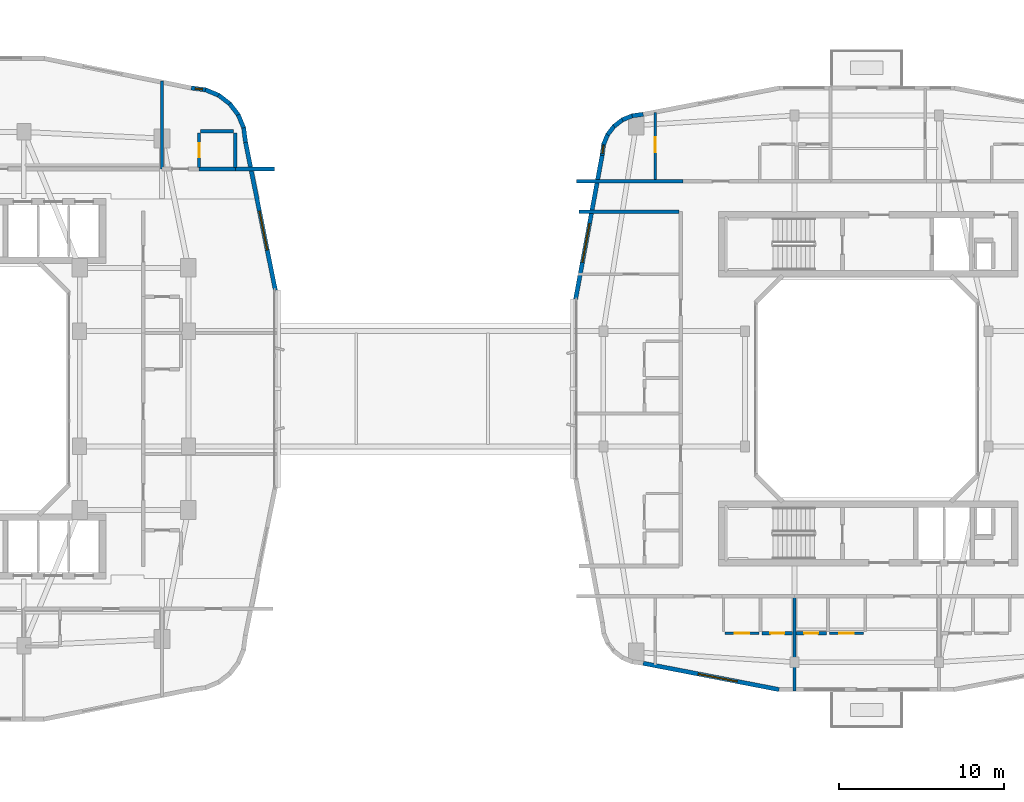
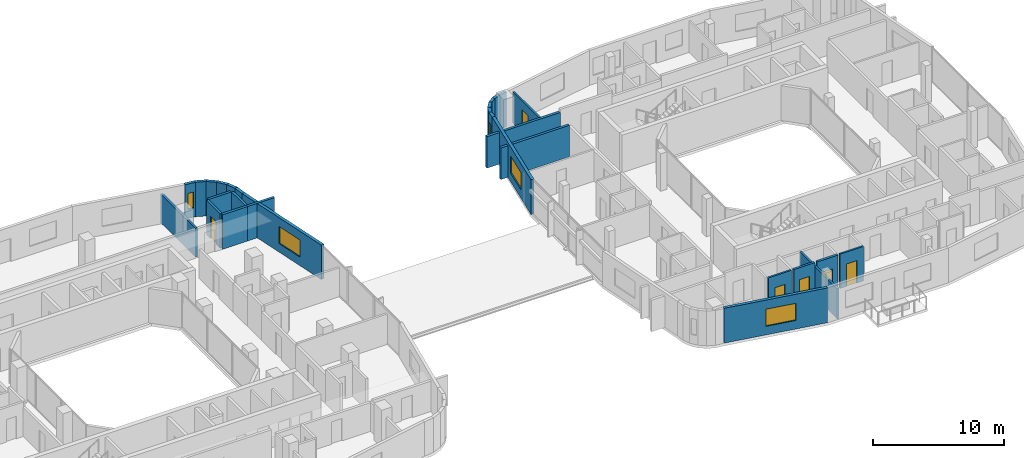
# One storey, part 12 of 22: 29 walls, 6 doors, 5 windows, 11 openings.
"""IFC4 building model written with IfcOpenShell, lengths in metres."""

from ifc_helpers import new_model, si_unit, derived_unit, direction, frame, frame_2d, origin, place, context, subcontext, project, spatial, rectangle, extrude, material, layer, layer_set, type_object, element, fill, save


model = new_model("IFC4")

# Units and contexts
model_context = context("Model", 3, precision=1e-05, world=origin(), true_north=direction((0.0, 1.0)))
body_context = subcontext(model_context, "Body", "Model", "MODEL_VIEW")
ifc_project = project(units=[si_unit("LENGTHUNIT", "METRE"), si_unit("AREAUNIT", "SQUARE_METRE"), si_unit("VOLUMEUNIT", "CUBIC_METRE"), si_unit("PLANEANGLEUNIT", "RADIAN"), si_unit("MASSUNIT", "GRAM", prefix="KILO"), derived_unit("THERMALTRANSMITTANCEUNIT", [(si_unit("POWERUNIT", "WATT"), 1), (si_unit("LENGTHUNIT", "METRE"), -2), (si_unit("THERMODYNAMICTEMPERATUREUNIT", "KELVIN"), -1)])], contexts=[model_context])

# Site, building, storey
site_placement = place(None, origin())
site = spatial("IfcSite", under=ifc_project, at=site_placement, CompositionType="ELEMENT")
building_placement = place(site_placement, origin())
building = spatial("IfcBuilding", under=site, at=building_placement, Name="Kivonza Crest Hotel", CompositionType="ELEMENT")
storey_placement = place(building_placement, frame((0.0, 0.0, 124.0)))
storey = spatial("IfcBuildingStorey", under=building, at=storey_placement, Name="L33", CompositionType="ELEMENT", Elevation=124.0)

# Walls
ifc_material_1 = material(Name="High-density acoustic masonry inter-tenancy wall", Category="masonry")
ifc_layer_1 = layer(ifc_material_1, 0.179931640625)
ifc_layer_set_1 = layer_set([ifc_layer_1], Name="High-density acoustic masonry inter-tenancy wall")
wall_type_1 = type_object("IfcWallType", Name="WL-ACOU-180", PredefinedType="SOLIDWALL", material=ifc_layer_set_1)
wall_1_placement = place(storey_placement, frame((34.199951171875, 38.35009765625, 0.0), z_axis=(0.0, 0.0, 1.0), x_axis=(0.0, 1.0, 0.0)))
element("IfcWall", 1, at=wall_1_placement, inside=storey, type_object=wall_type_1, Name="L33 interior partition WA-L33-T1N-DIV2", PredefinedType="SOLIDWALL", context=body_context, shape_type="SweptSolid", body=[
    extrude(rectangle(XDim=5.350830078125, YDim=0.179931640625, at=frame_2d((2.67529296875, 0.0))), origin(), (0.0, 0.0, 1.0), 2.695068359375),
])
wall_2_placement = place(storey_placement, frame((72.60009765625, 6.659912109375, 0.0), z_axis=(0.0, 0.0, 1.0), x_axis=(0.0, 1.0, 0.0)))
element("IfcWall", 2, at=wall_2_placement, inside=storey, type_object=wall_type_1, Name="L33 interior partition WA-L33-T2S-DIV1", PredefinedType="SOLIDWALL", context=body_context, shape_type="SweptSolid", body=[
    extrude(rectangle(XDim=5.739990234375, YDim=0.179931640625, at=frame_2d((2.8701171875, 0.0))), origin(), (0.0, 0.0, 1.0), 2.824951171875),
])
ifc_material_2 = material(Name="Autoclaved aerated concrete blockwork", Category="masonry")
ifc_layer_2 = layer(ifc_material_2, 0.219970703125)
ifc_layer_set_2 = layer_set([ifc_layer_2], Name="Autoclaved aerated concrete blockwork")
wall_type_2 = type_object("IfcWallType", Name="WL-ACOU-220", PredefinedType="SOLIDWALL", material=ifc_layer_set_2)
wall_3_placement = place(storey_placement, frame((38.64990234375, 38.35009765625, 0.0), z_axis=(0.0, 0.0, 1.0), x_axis=(1.0, 0.0, 0.0)))
element("IfcWall", 3, at=wall_3_placement, inside=storey, type_object=wall_type_2, Name="L33 interior partition WA-L33-N02-XCORR", PredefinedType="SOLIDWALL", context=body_context, shape_type="SweptSolid", body=[
    extrude(rectangle(XDim=2.39013671875, YDim=0.219970703125, at=frame_2d((1.195068359375, 0.0))), origin(), (0.0, 0.0, 1.0), 3.219970703125),
])
wall_4_placement = place(storey_placement, frame((36.449951171875, 38.35009765625, 0.0), z_axis=(0.0, 0.0, 1.0), x_axis=(1.0, 0.0, 0.0)))
element("IfcWall", 4, at=wall_4_placement, inside=storey, type_object=wall_type_2, Name="L33 interior partition WA-L33-N02-BCORR", PredefinedType="SOLIDWALL", context=body_context, shape_type="SweptSolid", body=[
    extrude(rectangle(XDim=2.199951171875, YDim=0.219970703125, at=frame_2d((1.10009765625, 0.0))), origin(), (0.0, 0.0, 1.0), 3.219970703125),
])
wall_5_placement = place(storey_placement, frame((59.360107421875, 37.60009765625, 0.0), z_axis=(0.0, 0.0, 1.0), x_axis=(1.0, 0.0, 0.0)))
element("IfcWall", 5, at=wall_5_placement, inside=storey, type_object=wall_type_2, Name="L33 interior partition WA-L33-A01-LCORR", PredefinedType="SOLIDWALL", context=body_context, shape_type="SweptSolid", body=[
    extrude(rectangle(XDim=6.489990234375, YDim=0.219970703125, at=frame_2d((3.2451171875, 0.0))), origin(), (0.0, 0.0, 1.0), 2.945068359375),
])
wall_6_placement = place(storey_placement, frame((59.52001953125, 35.760009765625, 0.0), z_axis=(0.0, 0.0, 1.0), x_axis=(1.0, 0.0, 0.0)))
element("IfcWall", 6, at=wall_6_placement, inside=storey, type_object=wall_type_2, Name="L33 interior partition WA-L33-T2W-ENDN", PredefinedType="SOLIDWALL", context=body_context, shape_type="SweptSolid", body=[
    extrude(rectangle(XDim=6.080078125, YDim=0.219970703125, at=frame_2d((3.0400390625, 0.0))), origin(), (0.0, 0.0, 1.0), 2.945068359375),
])

# Wall, opening, window
ifc_material_3 = material(Name="Precast concrete C40/50", Category="concrete")
ifc_layer_3 = layer(ifc_material_3, 0.260009765625)
ifc_layer_set_3 = layer_set([ifc_layer_3], Name="Precast concrete C40/50")
wall_type_3 = type_object("IfcWallType", Name="WL-EXT-260", PredefinedType="STANDARD", material=ifc_layer_set_3)
wall_7_placement = place(storey_placement, frame((41.083984375, 30.97998046875, 0.0), z_axis=(0.0, 0.0, 1.0), x_axis=(-0.197435082048, 0.980315963543, 0.0)))
wall_7 = element("IfcWall", 7, at=wall_7_placement, inside=storey, type_object=wall_type_3, Name="L33 T1 exterior insulated wall 18", PredefinedType="STANDARD", context=body_context, shape_type="SweptSolid", body=[
    extrude(rectangle(XDim=9.1826171875, YDim=0.260009765625, at=frame_2d((4.59130859375, 0.0))), origin(), (0.0, 0.0, 1.0), 3.219970703125),
])
opening_1_placement = place(wall_7_placement, frame((2.4970703125, 0.0, 0.800048828125)))
opening_1 = element("IfcOpeningElement", 8, at=opening_1_placement, cuts=wall_7, Name="Opening WN-05", PredefinedType="OPENING", context=body_context, shape_type="SweptSolid", body=[
    extrude(rectangle(XDim=2.39990234375, YDim=1.60009765625, at=frame_2d((1.199951171875, 0.800048828125))), frame((0.0, 0.14013671875, 0.0), z_axis=(0.0, -1.0, 0.0), x_axis=(1.0, 0.0, 0.0)), (0.0, 0.0, 1.0), 0.280029296875),
])
ifc_material_4 = material(Name="Thermally broken bronze aluminium and low-E double glazing", Category="aluminium")
window_type_1 = type_object("IfcWindowType", Name="WN-240x160", PartitioningType="TRIPLE_PANEL_VERTICAL", PredefinedType="WINDOW", material=ifc_material_4)
window_1_placement = place(opening_1_placement, origin())
window_1 = element("IfcWindow", 9, at=window_1_placement, inside=storey, type_object=window_type_1, Name="L33 T1 facade window 18", OverallHeight=1.60009765625, OverallWidth=2.39990234375, PartitioningType="SINGLE_PANEL", PredefinedType="WINDOW", context=body_context, shape_type="SweptSolid", body=[
    extrude(rectangle(XDim=2.39990234375, YDim=1.60009765625, at=frame_2d((1.199951171875, 0.800048828125))), frame((0.0, 0.030029296875, 0.0), z_axis=(0.0, -1.0, 0.0), x_axis=(1.0, 0.0, 0.0)), (0.0, 0.0, 1.0), 0.06005859375),
])
fill(opening_1, window_1)

# Walls
wall_8_placement = place(storey_placement, frame((39.27197265625, 39.97509765625, 0.0), z_axis=(0.0, 0.0, 1.0), x_axis=(-0.130953706898, 0.991388484223, 0.0)))
element("IfcWall", 10, at=wall_8_placement, inside=storey, type_object=wall_type_3, Name="L33 T1 exterior insulated wall 19", PredefinedType="STANDARD", context=body_context, shape_type="SweptSolid", body=[
    extrude(rectangle(XDim=0.885498046875, YDim=0.260009765625, at=frame_2d((0.44287109375, 0.0))), origin(), (0.0, 0.0, 1.0), 3.219970703125),
])
wall_9_placement = place(storey_placement, frame((39.174072265625, 40.806884765625, 0.0), z_axis=(0.0, 0.0, 1.0), x_axis=(-0.383290660547, 0.923627776508, 0.0)))
element("IfcWall", 11, at=wall_9_placement, inside=storey, type_object=wall_type_3, Name="L33 T1 exterior insulated wall 20", PredefinedType="STANDARD", context=body_context, shape_type="SweptSolid", body=[
    extrude(rectangle(XDim=0.9033203125, YDim=0.260009765625, at=frame_2d((0.45166015625, 0.0))), origin(), (0.0, 0.0, 1.0), 3.219970703125),
])
wall_10_placement = place(storey_placement, frame((38.85595703125, 41.60107421875, 0.0), z_axis=(0.0, 0.0, 1.0), x_axis=(-0.608624690463, 0.793458244748, 0.0)))
element("IfcWall", 12, at=wall_10_placement, inside=storey, type_object=wall_type_3, Name="L33 T1 exterior insulated wall 21", PredefinedType="STANDARD", context=body_context, shape_type="SweptSolid", body=[
    extrude(rectangle(XDim=0.902099609375, YDim=0.260009765625, at=frame_2d((0.451171875, 0.0))), origin(), (0.0, 0.0, 1.0), 3.219970703125),
])
wall_11_placement = place(storey_placement, frame((38.344970703125, 42.285888671875, 0.0), z_axis=(0.0, 0.0, 1.0), x_axis=(-0.793558456666, 0.608494022858, 0.0)))
element("IfcWall", 13, at=wall_11_placement, inside=storey, type_object=wall_type_3, Name="L33 T1 exterior insulated wall 22", PredefinedType="STANDARD", context=body_context, shape_type="SweptSolid", body=[
    extrude(rectangle(XDim=0.90234375, YDim=0.260009765625, at=frame_2d((0.451171875, 0.0))), origin(), (0.0, 0.0, 1.0), 3.219970703125),
])
wall_12_placement = place(storey_placement, frame((37.673095703125, 42.81396484375, 0.0), z_axis=(0.0, 0.0, 1.0), x_axis=(-0.923683767999, 0.383155708213, 0.0)))
element("IfcWall", 14, at=wall_12_placement, inside=storey, type_object=wall_type_3, Name="L33 T1 exterior insulated wall 23", PredefinedType="STANDARD", context=body_context, shape_type="SweptSolid", body=[
    extrude(rectangle(XDim=0.90283203125, YDim=0.260009765625, at=frame_2d((0.451416015625, 0.0))), origin(), (0.0, 0.0, 1.0), 3.219970703125),
])

# Wall, opening, window
wall_13_placement = place(storey_placement, frame((36.887939453125, 43.152099609375, 0.0), z_axis=(0.0, 0.0, 1.0), x_axis=(-0.991487658083, 0.130200706103, 0.0)))
wall_13 = element("IfcWall", 15, at=wall_13_placement, inside=storey, type_object=wall_type_3, Name="L33 T1 exterior insulated wall 24", PredefinedType="STANDARD", context=body_context, shape_type="SweptSolid", body=[
    extrude(rectangle(XDim=0.920654296875, YDim=0.260009765625, at=frame_2d((0.46044921875, 0.0))), origin(), (0.0, 0.0, 1.0), 3.219970703125),
])
opening_2_placement = place(wall_13_placement, frame((0.235107421875, 0.0, 0.85009765625)))
opening_2 = element("IfcOpeningElement", 16, at=opening_2_placement, cuts=wall_13, Name="Opening WN-11", PredefinedType="OPENING", context=body_context, shape_type="SweptSolid", body=[
    extrude(rectangle(XDim=0.449951171875, YDim=1.5, at=frame_2d((0.22509765625, 0.75))), frame((0.0, 0.14013671875, 0.0), z_axis=(0.0, -1.0, 0.0), x_axis=(1.0, 0.0, 0.0)), (0.0, 0.0, 1.0), 0.280029296875),
])
window_type_2 = type_object("IfcWindowType", Name="WN-045x150", PartitioningType="SINGLE_PANEL", PredefinedType="WINDOW", material=ifc_material_4)
window_2_placement = place(opening_2_placement, origin())
window_2 = element("IfcWindow", 17, at=window_2_placement, inside=storey, type_object=window_type_2, Name="L33 corner vision window 1", OverallHeight=1.5, OverallWidth=0.449951171875, PartitioningType="SINGLE_PANEL", PredefinedType="WINDOW", context=body_context, shape_type="SweptSolid", body=[
    extrude(rectangle(XDim=0.449951171875, YDim=1.5, at=frame_2d((0.22509765625, 0.75))), frame((0.0, 0.030029296875, 0.0), z_axis=(0.0, -1.0, 0.0), x_axis=(1.0, 0.0, 0.0)), (0.0, 0.0, 1.0), 0.06005859375),
])
fill(opening_2, window_2)

wall_14_placement = place(storey_placement, frame((63.4169921875, 8.330078125, 0.0), z_axis=(0.0, 0.0, 1.0), x_axis=(0.98174070399, -0.190224052445, 0.0)))
wall_14 = element("IfcWall", 18, at=wall_14_placement, inside=storey, type_object=wall_type_3, Name="L33 T2 exterior insulated wall 7", PredefinedType="STANDARD", context=body_context, shape_type="SweptSolid", body=[
    extrude(rectangle(XDim=8.41162109375, YDim=0.260009765625, at=frame_2d((4.205810546875, 0.0))), origin(), (0.0, 0.0, 1.0), 3.25),
])
opening_3_placement = place(wall_14_placement, frame((3.4208984375, 0.0, 0.800048828125)))
opening_3 = element("IfcOpeningElement", 19, at=opening_3_placement, cuts=wall_14, Name="Opening WN-05", PredefinedType="OPENING", context=body_context, shape_type="SweptSolid", body=[
    extrude(rectangle(XDim=2.39990234375, YDim=1.60009765625, at=frame_2d((1.199951171875, 0.800048828125))), frame((0.0, 0.14013671875, 0.0), z_axis=(0.0, -1.0, 0.0), x_axis=(1.0, 0.0, 0.0)), (0.0, 0.0, 1.0), 0.280029296875),
])
window_3_placement = place(opening_3_placement, origin())
window_3 = element("IfcWindow", 20, at=window_3_placement, inside=storey, type_object=window_type_1, Name="L33 T2 facade window 7", OverallHeight=1.60009765625, OverallWidth=2.39990234375, PartitioningType="SINGLE_PANEL", PredefinedType="WINDOW", context=body_context, shape_type="SweptSolid", body=[
    extrude(rectangle(XDim=2.39990234375, YDim=1.60009765625, at=frame_2d((1.199951171875, 0.800048828125))), frame((0.0, 0.030029296875, 0.0), z_axis=(0.0, -1.0, 0.0), x_axis=(1.0, 0.0, 0.0)), (0.0, 0.0, 1.0), 0.06005859375),
])
fill(opening_3, window_3)

# Walls
wall_15_placement = place(storey_placement, frame((63.425048828125, 41.672119140625, 0.0), z_axis=(0.0, 0.0, 1.0), x_axis=(-0.991300187529, -0.13162043232, 0.0)))
element("IfcWall", 21, at=wall_15_placement, inside=storey, type_object=wall_type_3, Name="L33 T2 exterior insulated wall 28", PredefinedType="STANDARD", context=body_context, shape_type="SweptSolid", body=[
    extrude(rectangle(XDim=0.677001953125, YDim=0.260009765625, at=frame_2d((0.33837890625, 0.0))), origin(), (0.0, 0.0, 1.0), 3.25),
])
for number, where, z_axis, x_axis, name in (
    (22, (62.800048828125, 41.60107421875, 0.0), (0.0, 0.0, 1.0), (-0.924093981904, -0.382165294877, 0.0), "L33 T2 exterior insulated wall 29"),
    (23, (62.198974609375, 41.364013671875, 0.0), (0.0, 0.0, 1.0), (-0.792637067512, -0.609693758543, 0.0), "L33 T2 exterior insulated wall 30"),
    (24, (61.679931640625, 40.97900390625, 0.0), (0.0, 0.0, 1.0), (-0.609472651958, -0.792807092876, 0.0), "L33 T2 exterior insulated wall 31"),
):
    element("IfcWall", number, at=place(storey_placement, frame(where, z_axis=z_axis, x_axis=x_axis)), inside=storey, type_object=wall_type_3, Name=name, PredefinedType="STANDARD", context=body_context, shape_type="SweptSolid", body=[
        extrude(rectangle(XDim=0.69384765625, YDim=0.260009765625, at=frame_2d((0.346923828125, 0.0))), origin(), (0.0, 0.0, 1.0), 3.25),
    ])
wall_16_placement = place(storey_placement, frame((61.278076171875, 40.472900390625, 0.0), z_axis=(0.0, 0.0, 1.0), x_axis=(-0.382289608286, -0.924042561464, 0.0)))
element("IfcWall", 25, at=wall_16_placement, inside=storey, type_object=wall_type_3, Name="L33 T2 exterior insulated wall 32", PredefinedType="STANDARD", context=body_context, shape_type="SweptSolid", body=[
    extrude(rectangle(XDim=0.693603515625, YDim=0.260009765625, at=frame_2d((0.3466796875, 0.0))), origin(), (0.0, 0.0, 1.0), 3.25),
])

# Wall, opening, window
wall_17_placement = place(storey_placement, frame((61.02099609375, 39.881103515625, 0.0), z_axis=(0.0, 0.0, 1.0), x_axis=(-0.130614135366, -0.991433279471, 0.0)))
wall_17 = element("IfcWall", 26, at=wall_17_placement, inside=storey, type_object=wall_type_3, Name="L33 T2 exterior insulated wall 33", PredefinedType="STANDARD", context=body_context, shape_type="SweptSolid", body=[
    extrude(rectangle(XDim=0.712158203125, YDim=0.260009765625, at=frame_2d((0.35595703125, 0.0))), origin(), (0.0, 0.0, 1.0), 3.25),
])
opening_4_placement = place(wall_17_placement, frame((0.131103515625, 0.0, 0.85009765625)))
opening_4 = element("IfcOpeningElement", 27, at=opening_4_placement, cuts=wall_17, Name="Opening WN-11", PredefinedType="OPENING", context=body_context, shape_type="SweptSolid", body=[
    extrude(rectangle(XDim=0.449951171875, YDim=1.5, at=frame_2d((0.22509765625, 0.75))), frame((0.0, 0.14013671875, 0.0), z_axis=(0.0, -1.0, 0.0), x_axis=(1.0, 0.0, 0.0)), (0.0, 0.0, 1.0), 0.280029296875),
])
window_4_placement = place(opening_4_placement, origin())
window_4 = element("IfcWindow", 28, at=window_4_placement, inside=storey, type_object=window_type_2, Name="L33 corner vision window 2", OverallHeight=1.5, OverallWidth=0.449951171875, PartitioningType="SINGLE_PANEL", PredefinedType="WINDOW", context=body_context, shape_type="SweptSolid", body=[
    extrude(rectangle(XDim=0.449951171875, YDim=1.5, at=frame_2d((0.22509765625, 0.75))), frame((0.0, 0.030029296875, 0.0), z_axis=(0.0, -1.0, 0.0), x_axis=(1.0, 0.0, 0.0)), (0.0, 0.0, 1.0), 0.06005859375),
])
fill(opening_4, window_4)

wall_18_placement = place(storey_placement, frame((60.928955078125, 39.18408203125, 0.0), z_axis=(0.0, 0.0, 1.0), x_axis=(-0.181209963057, -0.983444431215, 0.0)))
wall_18 = element("IfcWall", 29, at=wall_18_placement, inside=storey, type_object=wall_type_3, Name="L33 T2 exterior insulated wall 34", PredefinedType="STANDARD", context=body_context, shape_type="SweptSolid", body=[
    extrude(rectangle(XDim=8.889404296875, YDim=0.260009765625, at=frame_2d((4.44482421875, 0.0))), origin(), (0.0, 0.0, 1.0), 3.25),
])
opening_5_placement = place(wall_18_placement, frame((4.214111328125, 0.0, 0.800048828125)))
opening_5 = element("IfcOpeningElement", 30, at=opening_5_placement, cuts=wall_18, Name="Opening WN-05", PredefinedType="OPENING", context=body_context, shape_type="SweptSolid", body=[
    extrude(rectangle(XDim=2.39990234375, YDim=1.60009765625, at=frame_2d((1.199951171875, 0.800048828125))), frame((0.0, 0.14013671875, 0.0), z_axis=(0.0, -1.0, 0.0), x_axis=(1.0, 0.0, 0.0)), (0.0, 0.0, 1.0), 0.280029296875),
])
window_5_placement = place(opening_5_placement, origin())
window_5 = element("IfcWindow", 31, at=window_5_placement, inside=storey, type_object=window_type_1, Name="L33 T2 facade window 34", OverallHeight=1.60009765625, OverallWidth=2.39990234375, PartitioningType="SINGLE_PANEL", PredefinedType="WINDOW", context=body_context, shape_type="SweptSolid", body=[
    extrude(rectangle(XDim=2.39990234375, YDim=1.60009765625, at=frame_2d((1.199951171875, 0.800048828125))), frame((0.0, 0.030029296875, 0.0), z_axis=(0.0, -1.0, 0.0), x_axis=(1.0, 0.0, 0.0)), (0.0, 0.0, 1.0), 0.06005859375),
])
fill(opening_5, window_5)

# Wall, opening, door
ifc_material_5 = material(Name="Twin-stud acoustic gypsum board partition", Category="gypsum")
ifc_layer_4 = layer(ifc_material_5, 0.14990234375)
ifc_layer_set_4 = layer_set([ifc_layer_4], Name="Twin-stud acoustic gypsum board partition")
wall_type_4 = type_object("IfcWallType", Name="WL-PART-150", PredefinedType="PARTITIONING", material=ifc_layer_set_4)
wall_19_placement = place(storey_placement, frame((64.159912109375, 37.699951171875, 0.0), z_axis=(0.0, 0.0, 1.0), x_axis=(0.0, 1.0, 0.0)))
wall_19 = element("IfcWall", 32, at=wall_19_placement, inside=storey, type_object=wall_type_4, Name="L33 interior partition WP-L33-A01-BDW1", PredefinedType="PARTITIONING", context=body_context, shape_type="SweptSolid", body=[
    extrude(rectangle(XDim=4.0859375, YDim=0.14990234375, at=frame_2d((2.04296875, 0.0))), origin(), (0.0, 0.0, 1.0), 2.945068359375),
])
opening_6_placement = place(wall_19_placement, frame((1.679931640625, 0.0, 0.0)))
opening_6 = element("IfcOpeningElement", 33, at=opening_6_placement, cuts=wall_19, Name="Opening DI-90", PredefinedType="OPENING", context=body_context, shape_type="SweptSolid", body=[
    extrude(rectangle(XDim=0.89990234375, YDim=2.10009765625, at=frame_2d((0.449951171875, 1.050048828125))), frame((0.0, 0.0849609375, 0.0), z_axis=(0.0, -1.0, 0.0), x_axis=(1.0, 0.0, 0.0)), (0.0, 0.0, 1.0), 0.169921875),
])
ifc_material_6 = material(Name="Hardwood timber oak", Category="wood")
door_type_1 = type_object("IfcDoorType", Name="DR-INT-900", OperationType="NOTDEFINED", PredefinedType="DOOR", material=ifc_material_6)
door_1_placement = place(opening_6_placement, origin())
door_1 = element("IfcDoor", 34, at=door_1_placement, inside=storey, type_object=door_type_1, Name="L33 A01 bedroom 1 door", OperationType="SINGLE_SWING_RIGHT", OverallHeight=2.10009765625, OverallWidth=0.89990234375, PredefinedType="DOOR", context=body_context, shape_type="SweptSolid", body=[
    extrude(rectangle(XDim=0.89990234375, YDim=2.10009765625, at=frame_2d((0.449951171875, 1.050048828125))), frame((0.0, 0.02490234375, 0.0), z_axis=(0.0, -1.0, 0.0), x_axis=(1.0, 0.0, 0.0)), (0.0, 0.0, 1.0), 0.050048828125),
])
fill(opening_6, door_1)

wall_20_placement = place(storey_placement, frame((68.39990234375, 10.14990234375, 0.0), z_axis=(0.0, 0.0, 1.0), x_axis=(1.0, 0.0, 0.0)))
wall_20 = element("IfcWall", 35, at=wall_20_placement, inside=storey, type_object=wall_type_4, Name="L33 interior partition WP-L33-A03-KSVC", PredefinedType="PARTITIONING", context=body_context, shape_type="SweptSolid", body=[
    extrude(rectangle(XDim=2.050048828125, YDim=0.14990234375, at=frame_2d((1.02490234375, 0.0))), origin(), (0.0, 0.0, 1.0), 3.219970703125),
])
opening_7_placement = place(wall_20_placement, frame((0.574951171875, 0.0, 0.0)))
opening_7 = element("IfcOpeningElement", 36, at=opening_7_placement, cuts=wall_20, Name="Opening DI-90", PredefinedType="OPENING", context=body_context, shape_type="SweptSolid", body=[
    extrude(rectangle(XDim=0.89990234375, YDim=2.10009765625, at=frame_2d((0.449951171875, 1.050048828125))), frame((0.0, 0.0849609375, 0.0), z_axis=(0.0, -1.0, 0.0), x_axis=(1.0, 0.0, 0.0)), (0.0, 0.0, 1.0), 0.169921875),
])
door_2_placement = place(opening_7_placement, frame((0.89990234375, 0.0, 0.0), z_axis=(0.0, 0.0, 1.0), x_axis=(-1.0, 0.0, 0.0)))
door_2 = element("IfcDoor", 37, at=door_2_placement, inside=storey, type_object=door_type_1, Name="L33 A03 apartment kitchen door", OperationType="SINGLE_SWING_LEFT", OverallHeight=2.10009765625, OverallWidth=0.89990234375, PredefinedType="DOOR", context=body_context, shape_type="SweptSolid", body=[
    extrude(rectangle(XDim=0.89990234375, YDim=2.10009765625, at=frame_2d((0.449951171875, 1.050048828125))), frame((0.0, 0.02490234375, 0.0), z_axis=(0.0, -1.0, 0.0), x_axis=(1.0, 0.0, 0.0)), (0.0, 0.0, 1.0), 0.050048828125),
])
fill(opening_7, door_2)

wall_21_placement = place(storey_placement, frame((74.75, 10.14990234375, 0.0), z_axis=(0.0, 0.0, 1.0), x_axis=(1.0, 0.0, 0.0)))
wall_21 = element("IfcWall", 38, at=wall_21_placement, inside=storey, type_object=wall_type_4, Name="L33 interior partition WP-L33-A04-KSVC", PredefinedType="PARTITIONING", context=body_context, shape_type="SweptSolid", body=[
    extrude(rectangle(XDim=2.050048828125, YDim=0.14990234375, at=frame_2d((1.02490234375, 0.0))), origin(), (0.0, 0.0, 1.0), 3.219970703125),
])
opening_8_placement = place(wall_21_placement, frame((0.574951171875, 0.0, 0.0)))
opening_8 = element("IfcOpeningElement", 39, at=opening_8_placement, cuts=wall_21, Name="Opening DI-90", PredefinedType="OPENING", context=body_context, shape_type="SweptSolid", body=[
    extrude(rectangle(XDim=0.89990234375, YDim=2.10009765625, at=frame_2d((0.449951171875, 1.050048828125))), frame((0.0, 0.0849609375, 0.0), z_axis=(0.0, -1.0, 0.0), x_axis=(1.0, 0.0, 0.0)), (0.0, 0.0, 1.0), 0.169921875),
])
door_3_placement = place(opening_8_placement, frame((0.89990234375, 0.0, 0.0), z_axis=(0.0, 0.0, 1.0), x_axis=(-1.0, 0.0, 0.0)))
door_3 = element("IfcDoor", 40, at=door_3_placement, inside=storey, type_object=door_type_1, Name="L33 A04 apartment kitchen door", OperationType="SINGLE_SWING_RIGHT", OverallHeight=2.10009765625, OverallWidth=0.89990234375, PredefinedType="DOOR", context=body_context, shape_type="SweptSolid", body=[
    extrude(rectangle(XDim=0.89990234375, YDim=2.10009765625, at=frame_2d((0.449951171875, 1.050048828125))), frame((0.0, 0.02490234375, 0.0), z_axis=(0.0, -1.0, 0.0), x_axis=(1.0, 0.0, 0.0)), (0.0, 0.0, 1.0), 0.050048828125),
])
fill(opening_8, door_3)

ifc_material_7 = material(Name="Moisture-resistant plumbing chase partition wall", Category="gypsum")
ifc_layer_5 = layer(ifc_material_7, 0.199951171875)
ifc_layer_set_5 = layer_set([ifc_layer_5], Name="Moisture-resistant plumbing chase partition wall")
wall_type_5 = type_object("IfcWallType", Name="WL-PLUMB-200", PredefinedType="PLUMBINGWALL", material=ifc_layer_set_5)
wall_22_placement = place(storey_placement, frame((36.449951171875, 38.449951171875, 0.0), z_axis=(0.0, 0.0, 1.0), x_axis=(0.0, 1.0, 0.0)))
wall_22 = element("IfcWall", 41, at=wall_22_placement, inside=storey, type_object=wall_type_5, Name="L33 interior partition WW-L33-N02-BV", PredefinedType="PLUMBINGWALL", context=body_context, shape_type="SweptSolid", body=[
    extrude(rectangle(XDim=2.10009765625, YDim=0.199951171875, at=frame_2d((1.050048828125, 0.0))), origin(), (0.0, 0.0, 1.0), 3.219970703125),
])
opening_9_placement = place(wall_22_placement, frame((0.625, 0.0, 0.0)))
opening_9 = element("IfcOpeningElement", 42, at=opening_9_placement, cuts=wall_22, Name="Opening DI-85", PredefinedType="OPENING", context=body_context, shape_type="SweptSolid", body=[
    extrude(rectangle(XDim=0.85009765625, YDim=2.10009765625, at=frame_2d((0.425048828125, 1.050048828125))), frame((0.0, 0.10986328125, 0.0), z_axis=(0.0, -1.0, 0.0), x_axis=(1.0, 0.0, 0.0)), (0.0, 0.0, 1.0), 0.219970703125),
])
door_type_2 = type_object("IfcDoorType", Name="DR-INT-850", OperationType="NOTDEFINED", PredefinedType="DOOR", material=ifc_material_6)
door_4_placement = place(opening_9_placement, origin())
door_4 = element("IfcDoor", 43, at=door_4_placement, inside=storey, type_object=door_type_2, Name="L33 N02 en-suite bathroom door", OperationType="SINGLE_SWING_LEFT", OverallHeight=2.10009765625, OverallWidth=0.85009765625, PredefinedType="DOOR", context=body_context, shape_type="SweptSolid", body=[
    extrude(rectangle(XDim=0.85009765625, YDim=2.10009765625, at=frame_2d((0.425048828125, 1.050048828125))), frame((0.0, 0.02490234375, 0.0), z_axis=(0.0, -1.0, 0.0), x_axis=(1.0, 0.0, 0.0)), (0.0, 0.0, 1.0), 0.050048828125),
])
fill(opening_9, door_4)

# Walls
wall_23_placement = place(storey_placement, frame((36.550048828125, 40.64990234375, 0.0), z_axis=(0.0, 0.0, 1.0), x_axis=(1.0, 0.0, 0.0)))
element("IfcWall", 44, at=wall_23_placement, inside=storey, type_object=wall_type_5, Name="L33 interior partition WW-L33-N02-BH", PredefinedType="PLUMBINGWALL", context=body_context, shape_type="SweptSolid", body=[
    extrude(rectangle(XDim=2.0, YDim=0.199951171875, at=frame_2d((1.0, 0.0))), origin(), (0.0, 0.0, 1.0), 3.219970703125),
])
wall_24_placement = place(storey_placement, frame((38.64990234375, 38.449951171875, 0.0), z_axis=(0.0, 0.0, 1.0), x_axis=(0.0, 1.0, 0.0)))
element("IfcWall", 45, at=wall_24_placement, inside=storey, type_object=wall_type_5, Name="L33 interior partition WW-L33-N02-BVE", PredefinedType="PLUMBINGWALL", context=body_context, shape_type="SweptSolid", body=[
    extrude(rectangle(XDim=2.10009765625, YDim=0.199951171875, at=frame_2d((1.050048828125, 0.0))), origin(), (0.0, 0.0, 1.0), 3.219970703125),
])

# Wall, opening, door
wall_25_placement = place(storey_placement, frame((70.64990234375, 10.14990234375, 0.0), z_axis=(0.0, 0.0, 1.0), x_axis=(1.0, 0.0, 0.0)))
wall_25 = element("IfcWall", 46, at=wall_25_placement, inside=storey, type_object=wall_type_5, Name="L33 interior partition WW-L33-A03-BSVC", PredefinedType="PLUMBINGWALL", context=body_context, shape_type="SweptSolid", body=[
    extrude(rectangle(XDim=1.85009765625, YDim=0.199951171875, at=frame_2d((0.925048828125, 0.0))), origin(), (0.0, 0.0, 1.0), 3.219970703125),
])
opening_10_placement = place(wall_25_placement, frame((0.5, 0.0, 0.0)))
opening_10 = element("IfcOpeningElement", 47, at=opening_10_placement, cuts=wall_25, Name="Opening DI-85", PredefinedType="OPENING", context=body_context, shape_type="SweptSolid", body=[
    extrude(rectangle(XDim=0.85009765625, YDim=2.10009765625, at=frame_2d((0.425048828125, 1.050048828125))), frame((0.0, 0.10986328125, 0.0), z_axis=(0.0, -1.0, 0.0), x_axis=(1.0, 0.0, 0.0)), (0.0, 0.0, 1.0), 0.219970703125),
])
door_5_placement = place(opening_10_placement, frame((0.85009765625, 0.0, 0.0), z_axis=(0.0, 0.0, 1.0), x_axis=(-1.0, 0.0, 0.0)))
door_5 = element("IfcDoor", 48, at=door_5_placement, inside=storey, type_object=door_type_2, Name="L33 A03 apartment bathroom door", OperationType="SINGLE_SWING_RIGHT", OverallHeight=2.10009765625, OverallWidth=0.85009765625, PredefinedType="DOOR", context=body_context, shape_type="SweptSolid", body=[
    extrude(rectangle(XDim=0.85009765625, YDim=2.10009765625, at=frame_2d((0.425048828125, 1.050048828125))), frame((0.0, 0.02490234375, 0.0), z_axis=(0.0, -1.0, 0.0), x_axis=(1.0, 0.0, 0.0)), (0.0, 0.0, 1.0), 0.050048828125),
])
fill(opening_10, door_5)

wall_26_placement = place(storey_placement, frame((72.699951171875, 10.14990234375, 0.0), z_axis=(0.0, 0.0, 1.0), x_axis=(1.0, 0.0, 0.0)))
wall_26 = element("IfcWall", 49, at=wall_26_placement, inside=storey, type_object=wall_type_5, Name="L33 interior partition WW-L33-A04-BSVC", PredefinedType="PLUMBINGWALL", context=body_context, shape_type="SweptSolid", body=[
    extrude(rectangle(XDim=1.85009765625, YDim=0.199951171875, at=frame_2d((0.925048828125, 0.0))), origin(), (0.0, 0.0, 1.0), 3.219970703125),
])
opening_11_placement = place(wall_26_placement, frame((0.5, 0.0, 0.0)))
opening_11 = element("IfcOpeningElement", 50, at=opening_11_placement, cuts=wall_26, Name="Opening DI-85", PredefinedType="OPENING", context=body_context, shape_type="SweptSolid", body=[
    extrude(rectangle(XDim=0.85009765625, YDim=2.10009765625, at=frame_2d((0.425048828125, 1.050048828125))), frame((0.0, 0.10986328125, 0.0), z_axis=(0.0, -1.0, 0.0), x_axis=(1.0, 0.0, 0.0)), (0.0, 0.0, 1.0), 0.219970703125),
])
door_6_placement = place(opening_11_placement, frame((0.85009765625, 0.0, 0.0), z_axis=(0.0, 0.0, 1.0), x_axis=(-1.0, 0.0, 0.0)))
door_6 = element("IfcDoor", 51, at=door_6_placement, inside=storey, type_object=door_type_2, Name="L33 A04 apartment bathroom door", OperationType="SINGLE_SWING_LEFT", OverallHeight=2.10009765625, OverallWidth=0.85009765625, PredefinedType="DOOR", context=body_context, shape_type="SweptSolid", body=[
    extrude(rectangle(XDim=0.85009765625, YDim=2.10009765625, at=frame_2d((0.425048828125, 1.050048828125))), frame((0.0, 0.02490234375, 0.0), z_axis=(0.0, -1.0, 0.0), x_axis=(1.0, 0.0, 0.0)), (0.0, 0.0, 1.0), 0.050048828125),
])
fill(opening_11, door_6)

save(model, "model.ifc")
